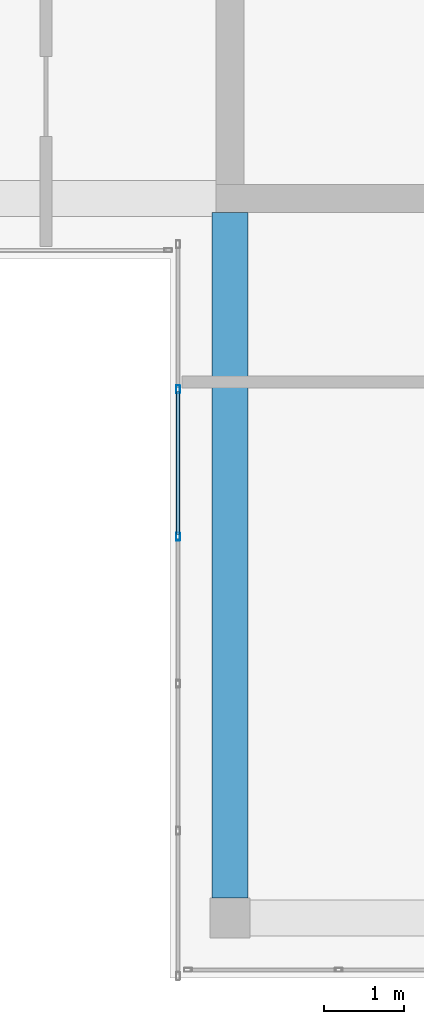
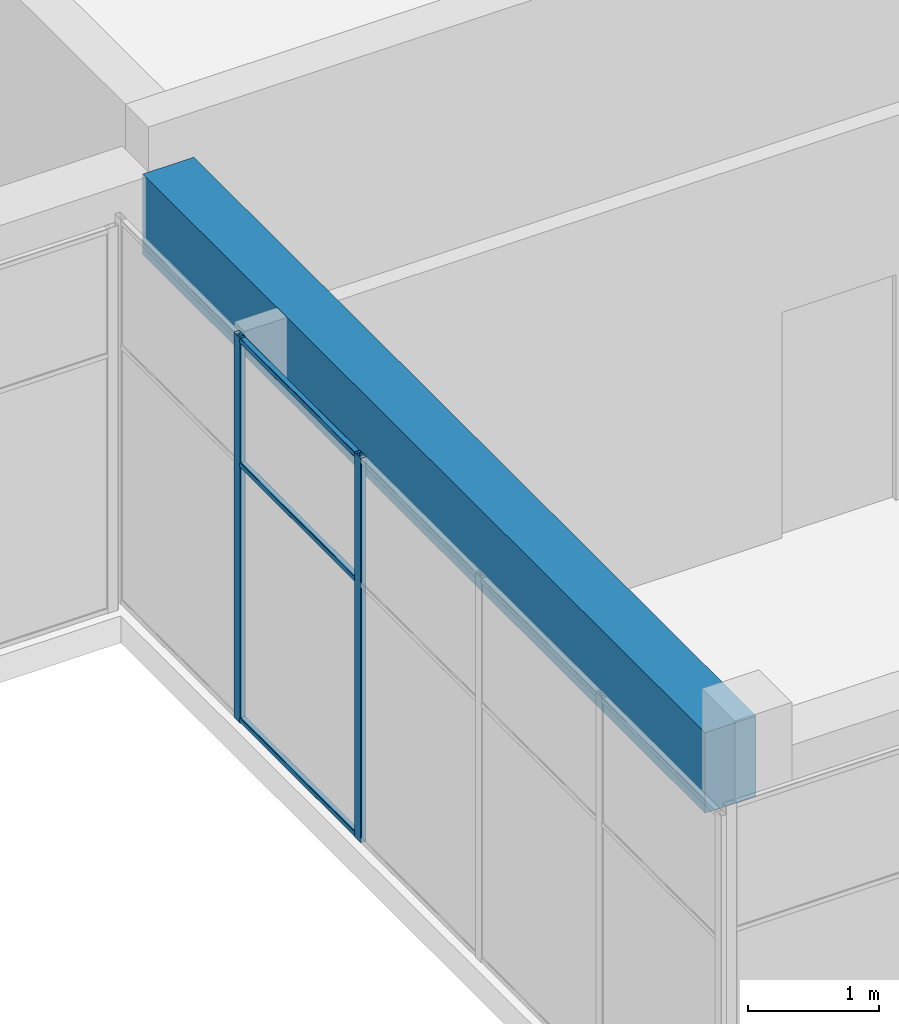
# One storey, part 3 of 36: 5 members, 1 beam, 1 element without a shape of its own.
"""IFC4 building model written with IfcOpenShell, lengths in metres."""

from ifc_helpers import new_model, si_unit, direction, frame, origin, origin_2d, place, context, subcontext, project, spatial, rectangle, hollow_rectangle, extrude, material, layer, layer_set, material_profile, profile_set, type_object, element, aggregate, save


model = new_model("IFC4")

# Units and contexts
model_context = context("Model", 3, precision=1e-05, world=origin(), true_north=direction((0.0, 1.0)))
body_context = subcontext(model_context, "Body", "Model", "MODEL_VIEW")
ifc_project = project(units=[si_unit("LENGTHUNIT", "METRE"), si_unit("AREAUNIT", "SQUARE_METRE"), si_unit("VOLUMEUNIT", "CUBIC_METRE"), si_unit("PLANEANGLEUNIT", "RADIAN"), si_unit("MASSUNIT", "GRAM", prefix="KILO")], contexts=[model_context])

# Site, building, storey
site_placement = place(None, origin())
site = spatial("IfcSite", under=ifc_project, at=site_placement, CompositionType="ELEMENT")
building_placement = place(site_placement, origin())
building = spatial("IfcBuilding", under=site, at=building_placement, Name="Tuart Plaza Theatre", CompositionType="ELEMENT")
storey_placement = place(building_placement, frame((0.0, 0.0, 61.5)))
storey = spatial("IfcBuildingStorey", under=building, at=storey_placement, Name="L15", CompositionType="ELEMENT", Elevation=61.5)

# Beam
ifc_material_1 = material(Name="Concrete N40 (40 MPa)", Category="concrete")
ifc_material_profile_1 = material_profile(ifc_material_1, rectangle(XDim=0.449951171875, YDim=0.75, at=origin_2d()), Name="BEAM 450x750 Concrete N40 (40 MPa)")
ifc_profile_set_1 = profile_set([ifc_material_profile_1], Name="Concrete N40 (40 MPa)")
beam_type = type_object("IfcBeamType", Name="BEAM 450x750 Concrete N40 (40 MPa)", PredefinedType="BEAM", material=ifc_profile_set_1)
beam_placement = place(storey_placement, frame((123.0, 56.25, 3.205078125), z_axis=(0.0, 1.0, 0.0), x_axis=(-1.0, 0.0, 0.0)))
element("IfcBeam", 1, at=beam_placement, inside=storey, type_object=beam_type, Name="RB327", PredefinedType="BEAM", context=body_context, shape_type="SweptSolid", body=[
    extrude(rectangle(XDim=0.449951171875, YDim=0.75, at=origin_2d()), origin(), (0.0, 0.0, 1.0), 8.574951171875),
])

# Curtain wall, members
ifc_material_2 = material(Name="Aluminium and glass", Category="aluminium")
ifc_layer = layer(ifc_material_2, 0.10009765625)
ifc_layer_set = layer_set([ifc_layer], Name="CURTAIN WALL 2000 module")
curtain_wall_type = type_object("IfcCurtainWallType", Name="CURTAIN WALL 2000 module", PredefinedType="NOTDEFINED", material=ifc_layer_set)
curtain_wall_placement = place(storey_placement, origin())
curtain_wall = element("IfcCurtainWall", 2, at=curtain_wall_placement, inside=storey, type_object=curtain_wall_type, Name="CW121", PredefinedType="NOTDEFINED")
ifc_material_3 = material(Name="Aluminium 6063-T5", Category="aluminium")
ifc_material_profile_2 = material_profile(ifc_material_3, hollow_rectangle(XDim=0.050048828125, YDim=0.10009765625, WallThickness=0.00390625, InnerFilletRadius=0.00390625, OuterFilletRadius=0.008056640625, at=origin_2d()), Name="RHS 100x50x4")
ifc_profile_set_2 = profile_set([ifc_material_profile_2], Name="Aluminium 6063-T5")
member_type_1 = type_object("IfcMemberType", Name="MULLION RHS 100x50x4", PredefinedType="MULLION", material=ifc_profile_set_2)
member_1_placement = place(storey_placement, frame((122.35009765625, 62.610107421875, 0.0), z_axis=(0.0, 0.0, 1.0), x_axis=(1.0, 0.0, 0.0)))
member_1 = element("IfcMember", 3, at=member_1_placement, type_object=member_type_1, Name="CW121 mullion 2", PredefinedType="MULLION", context=body_context, shape_type="SweptSolid", body=[
    extrude(hollow_rectangle(XDim=0.050048828125, YDim=0.10009765625, WallThickness=0.00390625, InnerFilletRadius=0.00390625, OuterFilletRadius=0.008056640625, at=origin_2d()), origin(), (0.0, 0.0, 1.0), 3.580078125),
])
member_2_placement = place(storey_placement, frame((122.35009765625, 60.77001953125, 0.0), z_axis=(0.0, 0.0, 1.0), x_axis=(1.0, 0.0, 0.0)))
member_2 = element("IfcMember", 4, at=member_2_placement, type_object=member_type_1, Name="CW121 mullion 3", PredefinedType="MULLION", context=body_context, shape_type="SweptSolid", body=[
    extrude(hollow_rectangle(XDim=0.050048828125, YDim=0.10009765625, WallThickness=0.00390625, InnerFilletRadius=0.00390625, OuterFilletRadius=0.008056640625, at=origin_2d()), origin(), (0.0, 0.0, 1.0), 3.580078125),
])
ifc_material_4 = material(Name="Aluminium 6063-T5", Category="aluminium")
ifc_material_profile_3 = material_profile(ifc_material_4, hollow_rectangle(XDim=0.050048828125, YDim=0.050048828125, WallThickness=0.00390625, InnerFilletRadius=0.00390625, OuterFilletRadius=0.008056640625, at=origin_2d()), Name="RHS 50x50x4")
ifc_profile_set_3 = profile_set([ifc_material_profile_3], Name="Aluminium 6063-T5")
member_type_2 = type_object("IfcMemberType", Name="TRANSOM RHS 50x50x4", PredefinedType="USERDEFINED", material=ifc_profile_set_3)
member_3_placement = place(storey_placement, frame((122.35009765625, 62.5849609375, 0.02490234375), z_axis=(0.0, -1.0, 0.0), x_axis=(1.0, 0.0, 0.0)))
member_3 = element("IfcMember", 5, at=member_3_placement, type_object=member_type_2, Name="CW121 transom 2.1", ObjectType="TRANSOM", PredefinedType="USERDEFINED", context=body_context, shape_type="SweptSolid", body=[
    extrude(hollow_rectangle(XDim=0.050048828125, YDim=0.050048828125, WallThickness=0.00390625, InnerFilletRadius=0.00390625, OuterFilletRadius=0.008056640625, at=origin_2d()), origin(), (0.0, 0.0, 1.0), 1.7900390625),
])
member_4_placement = place(storey_placement, frame((122.35009765625, 62.5849609375, 2.39990234375), z_axis=(0.0, -1.0, 0.0), x_axis=(1.0, 0.0, 0.0)))
member_4 = element("IfcMember", 6, at=member_4_placement, type_object=member_type_2, Name="CW121 transom 2.2", ObjectType="TRANSOM", PredefinedType="USERDEFINED", context=body_context, shape_type="SweptSolid", body=[
    extrude(hollow_rectangle(XDim=0.050048828125, YDim=0.050048828125, WallThickness=0.00390625, InnerFilletRadius=0.00390625, OuterFilletRadius=0.008056640625, at=origin_2d()), origin(), (0.0, 0.0, 1.0), 1.7900390625),
])
member_5_placement = place(storey_placement, frame((122.35009765625, 62.5849609375, 3.554931640625), z_axis=(0.0, -1.0, 0.0), x_axis=(1.0, 0.0, 0.0)))
member_5 = element("IfcMember", 7, at=member_5_placement, type_object=member_type_2, Name="CW121 transom 2.3", ObjectType="TRANSOM", PredefinedType="USERDEFINED", context=body_context, shape_type="SweptSolid", body=[
    extrude(hollow_rectangle(XDim=0.050048828125, YDim=0.050048828125, WallThickness=0.00390625, InnerFilletRadius=0.00390625, OuterFilletRadius=0.008056640625, at=origin_2d()), origin(), (0.0, 0.0, 1.0), 1.7900390625),
])
aggregate(curtain_wall, [member_1, member_2, member_3, member_4, member_5])

save(model, "model.ifc")
